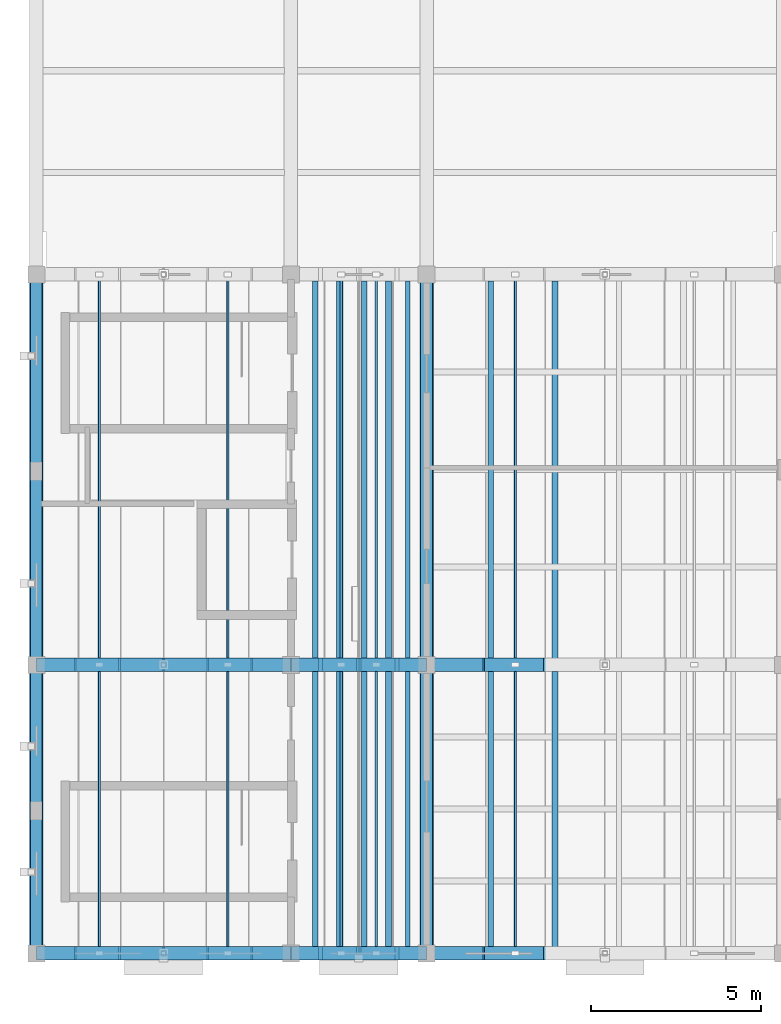
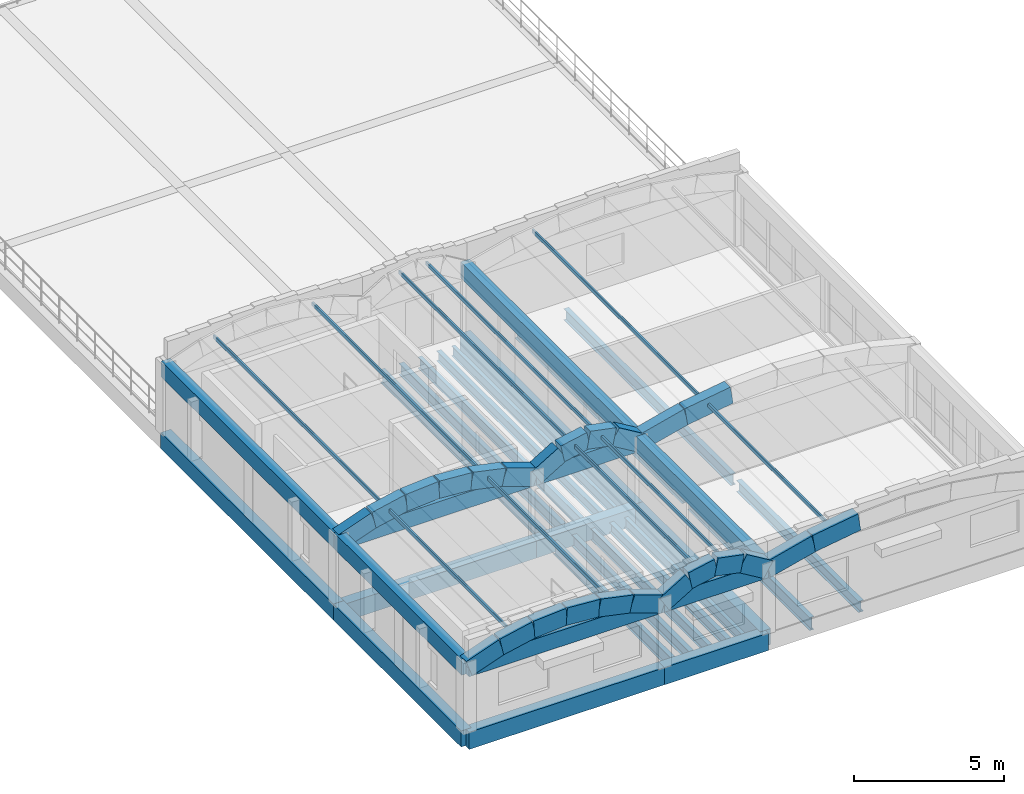
# One storey, part 3 of 40: 34 members, 30 beams.
"""IFC4 building model written with IfcOpenShell, lengths in metres."""

from ifc_helpers import new_model, si_unit, direction, frame, origin, origin_2d, place, context, subcontext, project, spatial, rectangle, hollow_rectangle, i_section, extrude, material, material_profile, profile_set, type_object, element, save


model = new_model("IFC4")

# Units and contexts
model_context = context("Model", 3, precision=1e-05, world=origin(), true_north=direction((0.0, 1.0)))
body_context = subcontext(model_context, "Body", "Model", "MODEL_VIEW")
ifc_project = project(units=[si_unit("LENGTHUNIT", "METRE"), si_unit("AREAUNIT", "SQUARE_METRE"), si_unit("VOLUMEUNIT", "CUBIC_METRE"), si_unit("PLANEANGLEUNIT", "RADIAN"), si_unit("MASSUNIT", "GRAM", prefix="KILO")], contexts=[model_context])

# Site, building, storey
site_placement = place(None, origin())
site = spatial("IfcSite", under=ifc_project, at=site_placement, CompositionType="ELEMENT")
building_placement = place(site_placement, origin())
building = spatial("IfcBuilding", under=site, at=building_placement, Name="Trellovar Central Fire Station", CompositionType="ELEMENT")
storey_placement = place(building_placement, frame((0.0, 0.0, 12.75)))
storey = spatial("IfcBuildingStorey", under=building, at=storey_placement, Name="L04", CompositionType="ELEMENT", Elevation=12.75)

# Beams
ifc_material_1 = material(Name="Concrete C40/50", Category="concrete")
ifc_material_profile_1 = material_profile(ifc_material_1, rectangle(XDim=0.39990234375, YDim=0.699951171875, at=origin_2d()), Name="RC400X700")
ifc_profile_set_1 = profile_set([ifc_material_profile_1], Name="Concrete C40/50")
beam_type_1 = type_object("IfcBeamType", Name="BM-G3", PredefinedType="BEAM", material=ifc_profile_set_1)
beam_1_placement = place(storey_placement, frame((1.0, 9.0, -0.35009765625), z_axis=(1.0, 0.0, 0.0), x_axis=(0.0, 1.0, 0.0)))
element("IfcBeam", 1, at=beam_1_placement, inside=storey, type_object=beam_type_1, Name="L04 beam G-3", PredefinedType="BEAM", context=body_context, shape_type="SweptSolid", body=[
    extrude(rectangle(XDim=0.39990234375, YDim=0.699951171875, at=origin_2d()), origin(), (0.0, 0.0, 1.0), 7.5),
])
beam_2_placement = place(storey_placement, frame((8.5, 9.0, -0.35009765625), z_axis=(1.0, 0.0, 0.0), x_axis=(0.0, 1.0, 0.0)))
element("IfcBeam", 2, at=beam_2_placement, inside=storey, type_object=beam_type_1, Name="L04 beam G-3", PredefinedType="BEAM", context=body_context, shape_type="SweptSolid", body=[
    extrude(rectangle(XDim=0.39990234375, YDim=0.699951171875, at=origin_2d()), origin(), (0.0, 0.0, 1.0), 4.0),
])
beam_3_placement = place(storey_placement, frame((1.0, 17.5, -0.35009765625), z_axis=(1.0, 0.0, 0.0), x_axis=(0.0, 1.0, 0.0)))
element("IfcBeam", 3, at=beam_3_placement, inside=storey, type_object=beam_type_1, Name="L04 beam G-3", PredefinedType="BEAM", context=body_context, shape_type="SweptSolid", body=[
    extrude(rectangle(XDim=0.39990234375, YDim=0.699951171875, at=origin_2d()), origin(), (0.0, 0.0, 1.0), 7.5),
])
beam_4_placement = place(storey_placement, frame((8.5, 17.5, -0.35009765625), z_axis=(1.0, 0.0, 0.0), x_axis=(0.0, 1.0, 0.0)))
element("IfcBeam", 4, at=beam_4_placement, inside=storey, type_object=beam_type_1, Name="L04 beam G-3", PredefinedType="BEAM", context=body_context, shape_type="SweptSolid", body=[
    extrude(rectangle(XDim=0.39990234375, YDim=0.699951171875, at=origin_2d()), origin(), (0.0, 0.0, 1.0), 4.0),
])
ifc_material_2 = material(Name="Concrete C40/50", Category="concrete")
ifc_material_profile_2 = material_profile(ifc_material_2, rectangle(XDim=0.39990234375, YDim=0.64990234375, at=origin_2d()), Name="RC400X650")
ifc_profile_set_2 = profile_set([ifc_material_profile_2], Name="Concrete C40/50")
beam_type_2 = type_object("IfcBeamType", Name="BM-G4", PredefinedType="BEAM", material=ifc_profile_set_2)
beam_5_placement = place(storey_placement, frame((1.0, 9.0, -0.324951171875), z_axis=(0.0, 1.0, 0.0), x_axis=(-1.0, 0.0, 0.0)))
element("IfcBeam", 5, at=beam_5_placement, inside=storey, type_object=beam_type_2, Name="L04 beam G-4", PredefinedType="BEAM", context=body_context, shape_type="SweptSolid", body=[
    extrude(rectangle(XDim=0.39990234375, YDim=0.64990234375, at=origin_2d()), origin(), (0.0, 0.0, 1.0), 8.5),
])
beam_6_placement = place(storey_placement, frame((1.0, 17.5, -0.324951171875), z_axis=(0.0, 1.0, 0.0), x_axis=(-1.0, 0.0, 0.0)))
element("IfcBeam", 6, at=beam_6_placement, inside=storey, type_object=beam_type_2, Name="L04 beam G-4", PredefinedType="BEAM", context=body_context, shape_type="SweptSolid", body=[
    extrude(rectangle(XDim=0.39990234375, YDim=0.64990234375, at=origin_2d()), origin(), (0.0, 0.0, 1.0), 11.5),
])
beam_7_placement = place(storey_placement, frame((12.5, 9.0, -0.324951171875), z_axis=(0.0, 1.0, 0.0), x_axis=(-1.0, 0.0, 0.0)))
element("IfcBeam", 7, at=beam_7_placement, inside=storey, type_object=beam_type_2, Name="L04 beam G-4", PredefinedType="BEAM", context=body_context, shape_type="SweptSolid", body=[
    extrude(rectangle(XDim=0.39990234375, YDim=0.64990234375, at=origin_2d()), origin(), (0.0, 0.0, 1.0), 8.5),
])
beam_8_placement = place(storey_placement, frame((12.5, 17.5, -0.324951171875), z_axis=(0.0, 1.0, 0.0), x_axis=(-1.0, 0.0, 0.0)))
element("IfcBeam", 8, at=beam_8_placement, inside=storey, type_object=beam_type_2, Name="L04 beam G-4", PredefinedType="BEAM", context=body_context, shape_type="SweptSolid", body=[
    extrude(rectangle(XDim=0.39990234375, YDim=0.64990234375, at=origin_2d()), origin(), (0.0, 0.0, 1.0), 11.5),
])
beam_9_placement = place(storey_placement, frame((1.0, 9.0, 2.574951171875), z_axis=(1.0, 0.0, 0.0), x_axis=(0.0, 1.0, 0.0)))
element("IfcBeam", 9, at=beam_9_placement, inside=storey, type_object=beam_type_2, Name="L04 beam G-4", PredefinedType="BEAM", context=body_context, shape_type="SweptSolid", body=[
    extrude(rectangle(XDim=0.39990234375, YDim=0.64990234375, at=origin_2d()), origin(), (0.0, 0.0, 1.0), 7.5),
])
beam_10_placement = place(storey_placement, frame((8.5, 9.0, 2.574951171875), z_axis=(1.0, 0.0, 0.0), x_axis=(0.0, 1.0, 0.0)))
element("IfcBeam", 10, at=beam_10_placement, inside=storey, type_object=beam_type_2, Name="L04 beam G-4", PredefinedType="BEAM", context=body_context, shape_type="SweptSolid", body=[
    extrude(rectangle(XDim=0.39990234375, YDim=0.64990234375, at=origin_2d()), origin(), (0.0, 0.0, 1.0), 4.0),
])
beam_11_placement = place(storey_placement, frame((1.0, 17.5, 2.574951171875), z_axis=(1.0, 0.0, 0.0), x_axis=(0.0, 1.0, 0.0)))
element("IfcBeam", 11, at=beam_11_placement, inside=storey, type_object=beam_type_2, Name="L04 beam G-4", PredefinedType="BEAM", context=body_context, shape_type="SweptSolid", body=[
    extrude(rectangle(XDim=0.39990234375, YDim=0.64990234375, at=origin_2d()), origin(), (0.0, 0.0, 1.0), 7.5),
])
beam_12_placement = place(storey_placement, frame((8.5, 17.5, 2.574951171875), z_axis=(1.0, 0.0, 0.0), x_axis=(0.0, 1.0, 0.0)))
element("IfcBeam", 12, at=beam_12_placement, inside=storey, type_object=beam_type_2, Name="L04 beam G-4", PredefinedType="BEAM", context=body_context, shape_type="SweptSolid", body=[
    extrude(rectangle(XDim=0.39990234375, YDim=0.64990234375, at=origin_2d()), origin(), (0.0, 0.0, 1.0), 4.0),
])
ifc_material_3 = material(Name="Concrete C40/50", Category="concrete")
ifc_material_profile_3 = material_profile(ifc_material_3, rectangle(XDim=0.35009765625, YDim=0.64990234375, at=origin_2d()), Name="RC350X650")
ifc_profile_set_3 = profile_set([ifc_material_profile_3], Name="Concrete C40/50")
beam_type_3 = type_object("IfcBeamType", Name="BM-G5", PredefinedType="BEAM", material=ifc_profile_set_3)
beam_13_placement = place(storey_placement, frame((1.0, 9.0, 2.574951171875), z_axis=(0.0, 1.0, 0.0), x_axis=(-1.0, 0.0, 0.0)))
element("IfcBeam", 13, at=beam_13_placement, inside=storey, type_object=beam_type_3, Name="L04 beam G-5", PredefinedType="BEAM", context=body_context, shape_type="SweptSolid", body=[
    extrude(rectangle(XDim=0.35009765625, YDim=0.64990234375, at=origin_2d()), origin(), (0.0, 0.0, 1.0), 8.5),
])
beam_14_placement = place(storey_placement, frame((1.0, 17.5, 2.574951171875), z_axis=(0.0, 1.0, 0.0), x_axis=(-1.0, 0.0, 0.0)))
element("IfcBeam", 14, at=beam_14_placement, inside=storey, type_object=beam_type_3, Name="L04 beam G-5", PredefinedType="BEAM", context=body_context, shape_type="SweptSolid", body=[
    extrude(rectangle(XDim=0.35009765625, YDim=0.64990234375, at=origin_2d()), origin(), (0.0, 0.0, 1.0), 11.5),
])
beam_15_placement = place(storey_placement, frame((12.5, 9.0, 2.574951171875), z_axis=(0.0, 1.0, 0.0), x_axis=(-1.0, 0.0, 0.0)))
element("IfcBeam", 15, at=beam_15_placement, inside=storey, type_object=beam_type_3, Name="L04 beam G-5", PredefinedType="BEAM", context=body_context, shape_type="SweptSolid", body=[
    extrude(rectangle(XDim=0.35009765625, YDim=0.64990234375, at=origin_2d()), origin(), (0.0, 0.0, 1.0), 8.5),
])
beam_16_placement = place(storey_placement, frame((12.5, 17.5, 2.574951171875), z_axis=(0.0, 1.0, 0.0), x_axis=(-1.0, 0.0, 0.0)))
element("IfcBeam", 16, at=beam_16_placement, inside=storey, type_object=beam_type_3, Name="L04 beam G-5", PredefinedType="BEAM", context=body_context, shape_type="SweptSolid", body=[
    extrude(rectangle(XDim=0.35009765625, YDim=0.64990234375, at=origin_2d()), origin(), (0.0, 0.0, 1.0), 11.5),
])
ifc_material_4 = material(Name="Steel ASTM A992 Grade 50", Category="steel")
ifc_material_profile_4 = material_profile(ifc_material_4, i_section(OverallWidth=0.15283203125, OverallDepth=0.45458984375, WebThickness=0.008056640625, FlangeThickness=0.01318359375, FilletRadius=0.0126953125, at=origin_2d()), Name="W18X40")
ifc_profile_set_4 = profile_set([ifc_material_profile_4], Name="Steel ASTM A992 Grade 50")
beam_type_4 = type_object("IfcBeamType", Name="BM-SW10", PredefinedType="JOIST", material=ifc_profile_set_4)
beam_17_placement = place(storey_placement, frame((10.659912109375, 9.18994140625, -0.46728515625), z_axis=(0.0, 1.0, 0.0), x_axis=(-1.0, 0.0, 0.0)))
element("IfcBeam", 17, at=beam_17_placement, inside=storey, type_object=beam_type_4, Name="L04 secondary steel deck joist", PredefinedType="JOIST", context=body_context, shape_type="SweptSolid", body=[
    extrude(i_section(OverallWidth=0.15283203125, OverallDepth=0.45458984375, WebThickness=0.008056640625, FlangeThickness=0.01318359375, FilletRadius=0.0126953125, at=origin_2d()), origin(), (0.0, 0.0, 1.0), 8.1201171875),
])
beam_18_placement = place(storey_placement, frame((10.659912109375, 17.68994140625, -0.46728515625), z_axis=(0.0, 1.0, 0.0), x_axis=(-1.0, 0.0, 0.0)))
element("IfcBeam", 18, at=beam_18_placement, inside=storey, type_object=beam_type_4, Name="L04 secondary steel deck joist", PredefinedType="JOIST", context=body_context, shape_type="SweptSolid", body=[
    extrude(i_section(OverallWidth=0.15283203125, OverallDepth=0.45458984375, WebThickness=0.008056640625, FlangeThickness=0.01318359375, FilletRadius=0.0126953125, at=origin_2d()), origin(), (0.0, 0.0, 1.0), 11.1201171875),
])
ifc_material_5 = material(Name="Steel ASTM A992 Grade 50", Category="steel")
ifc_material_profile_5 = material_profile(ifc_material_5, i_section(OverallWidth=0.177490234375, OverallDepth=0.40380859375, WebThickness=0.007568359375, FlangeThickness=0.010986328125, FilletRadius=0.011474609375, at=origin_2d()), Name="W16X36")
ifc_profile_set_5 = profile_set([ifc_material_profile_5], Name="Steel ASTM A992 Grade 50")
beam_type_5 = type_object("IfcBeamType", Name="BM-SW11", PredefinedType="JOIST", material=ifc_profile_set_5)
beam_19_placement = place(storey_placement, frame((11.3798828125, 9.18994140625, -0.44189453125), z_axis=(0.0, 1.0, 0.0), x_axis=(-1.0, 0.0, 0.0)))
element("IfcBeam", 19, at=beam_19_placement, inside=storey, type_object=beam_type_5, Name="L04 secondary steel deck joist", PredefinedType="JOIST", context=body_context, shape_type="SweptSolid", body=[
    extrude(i_section(OverallWidth=0.177490234375, OverallDepth=0.40380859375, WebThickness=0.007568359375, FlangeThickness=0.010986328125, FilletRadius=0.011474609375, at=origin_2d()), origin(), (0.0, 0.0, 1.0), 8.1201171875),
])
beam_20_placement = place(storey_placement, frame((11.3798828125, 17.68994140625, -0.44189453125), z_axis=(0.0, 1.0, 0.0), x_axis=(-1.0, 0.0, 0.0)))
element("IfcBeam", 20, at=beam_20_placement, inside=storey, type_object=beam_type_5, Name="L04 secondary steel deck joist", PredefinedType="JOIST", context=body_context, shape_type="SweptSolid", body=[
    extrude(i_section(OverallWidth=0.177490234375, OverallDepth=0.40380859375, WebThickness=0.007568359375, FlangeThickness=0.010986328125, FilletRadius=0.011474609375, at=origin_2d()), origin(), (0.0, 0.0, 1.0), 11.1201171875),
])
ifc_material_6 = material(Name="Steel ASTM A992 Grade 50", Category="steel")
ifc_material_profile_6 = material_profile(ifc_material_6, i_section(OverallWidth=0.140380859375, OverallDepth=0.4033203125, WebThickness=0.007080078125, FlangeThickness=0.01123046875, FilletRadius=0.011474609375, at=origin_2d()), Name="W16X31")
ifc_profile_set_6 = profile_set([ifc_material_profile_6], Name="Steel ASTM A992 Grade 50")
beam_type_6 = type_object("IfcBeamType", Name="BM-SW12", PredefinedType="JOIST", material=ifc_profile_set_6)
beam_21_placement = place(storey_placement, frame((11.93994140625, 9.18994140625, -0.441650390625), z_axis=(0.0, 1.0, 0.0), x_axis=(-1.0, 0.0, 0.0)))
element("IfcBeam", 21, at=beam_21_placement, inside=storey, type_object=beam_type_6, Name="L04 secondary steel deck joist", PredefinedType="JOIST", context=body_context, shape_type="SweptSolid", body=[
    extrude(i_section(OverallWidth=0.140380859375, OverallDepth=0.4033203125, WebThickness=0.007080078125, FlangeThickness=0.01123046875, FilletRadius=0.011474609375, at=origin_2d()), origin(), (0.0, 0.0, 1.0), 8.1201171875),
])
beam_22_placement = place(storey_placement, frame((11.93994140625, 17.68994140625, -0.441650390625), z_axis=(0.0, 1.0, 0.0), x_axis=(-1.0, 0.0, 0.0)))
element("IfcBeam", 22, at=beam_22_placement, inside=storey, type_object=beam_type_6, Name="L04 secondary steel deck joist", PredefinedType="JOIST", context=body_context, shape_type="SweptSolid", body=[
    extrude(i_section(OverallWidth=0.140380859375, OverallDepth=0.4033203125, WebThickness=0.007080078125, FlangeThickness=0.01123046875, FilletRadius=0.011474609375, at=origin_2d()), origin(), (0.0, 0.0, 1.0), 11.1201171875),
])
ifc_material_7 = material(Name="Steel ASTM A992 Grade 50", Category="steel")
ifc_material_profile_7 = material_profile(ifc_material_7, i_section(OverallWidth=0.166015625, OverallDepth=0.529052734375, WebThickness=0.009765625, FlangeThickness=0.013671875, FilletRadius=0.013916015625, at=origin_2d()), Name="W21X50")
ifc_profile_set_7 = profile_set([ifc_material_profile_7], Name="Steel ASTM A992 Grade 50")
beam_type_7 = type_object("IfcBeamType", Name="BM-SW8", PredefinedType="JOIST", material=ifc_profile_set_7)
beam_23_placement = place(storey_placement, frame((9.219970703125, 9.18994140625, -0.504638671875), z_axis=(0.0, 1.0, 0.0), x_axis=(-1.0, 0.0, 0.0)))
element("IfcBeam", 23, at=beam_23_placement, inside=storey, type_object=beam_type_7, Name="L04 secondary steel deck joist", PredefinedType="JOIST", context=body_context, shape_type="SweptSolid", body=[
    extrude(i_section(OverallWidth=0.166015625, OverallDepth=0.529052734375, WebThickness=0.009765625, FlangeThickness=0.013671875, FilletRadius=0.013916015625, at=origin_2d()), origin(), (0.0, 0.0, 1.0), 8.1201171875),
])
beam_24_placement = place(storey_placement, frame((9.219970703125, 17.68994140625, -0.504638671875), z_axis=(0.0, 1.0, 0.0), x_axis=(-1.0, 0.0, 0.0)))
element("IfcBeam", 24, at=beam_24_placement, inside=storey, type_object=beam_type_7, Name="L04 secondary steel deck joist", PredefinedType="JOIST", context=body_context, shape_type="SweptSolid", body=[
    extrude(i_section(OverallWidth=0.166015625, OverallDepth=0.529052734375, WebThickness=0.009765625, FlangeThickness=0.013671875, FilletRadius=0.013916015625, at=origin_2d()), origin(), (0.0, 0.0, 1.0), 11.1201171875),
])
beam_25_placement = place(storey_placement, frame((14.389892578125, 9.18994140625, -0.504638671875), z_axis=(0.0, 1.0, 0.0), x_axis=(-1.0, 0.0, 0.0)))
element("IfcBeam", 25, at=beam_25_placement, inside=storey, type_object=beam_type_7, Name="L04 secondary steel deck joist", PredefinedType="JOIST", context=body_context, shape_type="SweptSolid", body=[
    extrude(i_section(OverallWidth=0.166015625, OverallDepth=0.529052734375, WebThickness=0.009765625, FlangeThickness=0.013671875, FilletRadius=0.013916015625, at=origin_2d()), origin(), (0.0, 0.0, 1.0), 8.1201171875),
])
beam_26_placement = place(storey_placement, frame((14.389892578125, 17.68994140625, -0.504638671875), z_axis=(0.0, 1.0, 0.0), x_axis=(-1.0, 0.0, 0.0)))
element("IfcBeam", 26, at=beam_26_placement, inside=storey, type_object=beam_type_7, Name="L04 secondary steel deck joist", PredefinedType="JOIST", context=body_context, shape_type="SweptSolid", body=[
    extrude(i_section(OverallWidth=0.166015625, OverallDepth=0.529052734375, WebThickness=0.009765625, FlangeThickness=0.013671875, FilletRadius=0.013916015625, at=origin_2d()), origin(), (0.0, 0.0, 1.0), 11.1201171875),
])
ifc_material_8 = material(Name="Steel ASTM A992 Grade 50", Category="steel")
ifc_material_profile_8 = material_profile(ifc_material_8, i_section(OverallWidth=0.1904296875, OverallDepth=0.457275390625, WebThickness=0.009033203125, FlangeThickness=0.014404296875, FilletRadius=0.0126953125, at=origin_2d()), Name="W18X50")
ifc_profile_set_8 = profile_set([ifc_material_profile_8], Name="Steel ASTM A992 Grade 50")
beam_type_8 = type_object("IfcBeamType", Name="BM-SW9", PredefinedType="JOIST", material=ifc_profile_set_8)
beam_27_placement = place(storey_placement, frame((9.93994140625, 9.18994140625, -0.468505859375), z_axis=(0.0, 1.0, 0.0), x_axis=(-1.0, 0.0, 0.0)))
element("IfcBeam", 27, at=beam_27_placement, inside=storey, type_object=beam_type_8, Name="L04 secondary steel deck joist", PredefinedType="JOIST", context=body_context, shape_type="SweptSolid", body=[
    extrude(i_section(OverallWidth=0.1904296875, OverallDepth=0.457275390625, WebThickness=0.009033203125, FlangeThickness=0.014404296875, FilletRadius=0.0126953125, at=origin_2d()), origin(), (0.0, 0.0, 1.0), 8.1201171875),
])
beam_28_placement = place(storey_placement, frame((9.93994140625, 17.68994140625, -0.468505859375), z_axis=(0.0, 1.0, 0.0), x_axis=(-1.0, 0.0, 0.0)))
element("IfcBeam", 28, at=beam_28_placement, inside=storey, type_object=beam_type_8, Name="L04 secondary steel deck joist", PredefinedType="JOIST", context=body_context, shape_type="SweptSolid", body=[
    extrude(i_section(OverallWidth=0.1904296875, OverallDepth=0.457275390625, WebThickness=0.009033203125, FlangeThickness=0.014404296875, FilletRadius=0.0126953125, at=origin_2d()), origin(), (0.0, 0.0, 1.0), 11.1201171875),
])
beam_29_placement = place(storey_placement, frame((16.280029296875, 9.18994140625, -0.468505859375), z_axis=(0.0, 1.0, 0.0), x_axis=(-1.0, 0.0, 0.0)))
element("IfcBeam", 29, at=beam_29_placement, inside=storey, type_object=beam_type_8, Name="L04 secondary steel deck joist", PredefinedType="JOIST", context=body_context, shape_type="SweptSolid", body=[
    extrude(i_section(OverallWidth=0.1904296875, OverallDepth=0.457275390625, WebThickness=0.009033203125, FlangeThickness=0.014404296875, FilletRadius=0.0126953125, at=origin_2d()), origin(), (0.0, 0.0, 1.0), 8.1201171875),
])
beam_30_placement = place(storey_placement, frame((16.280029296875, 17.68994140625, -0.468505859375), z_axis=(0.0, 1.0, 0.0), x_axis=(-1.0, 0.0, 0.0)))
element("IfcBeam", 30, at=beam_30_placement, inside=storey, type_object=beam_type_8, Name="L04 secondary steel deck joist", PredefinedType="JOIST", context=body_context, shape_type="SweptSolid", body=[
    extrude(i_section(OverallWidth=0.1904296875, OverallDepth=0.457275390625, WebThickness=0.009033203125, FlangeThickness=0.014404296875, FilletRadius=0.0126953125, at=origin_2d()), origin(), (0.0, 0.0, 1.0), 11.1201171875),
])

# Members
ifc_material_9 = material(Name="Concrete C40/50", Category="concrete")
ifc_material_profile_9 = material_profile(ifc_material_9, rectangle(XDim=0.39990234375, YDim=0.699951171875, at=origin_2d()), Name="RC400X700")
ifc_profile_set_9 = profile_set([ifc_material_profile_9], Name="Concrete C40/50")
member_type_1 = type_object("IfcMemberType", Name="MEM-LR1", PredefinedType="CHORD", material=ifc_profile_set_9)
member_1_placement = place(storey_placement, frame((1.0, 9.0, 2.580078125), z_axis=(0.942240505119, 0.0, 0.334937054554), x_axis=(0.0, 1.0, 0.0)))
element("IfcMember", 31, at=member_1_placement, inside=storey, type_object=member_type_1, Name="V4 Catalan vault rib 1 chord 1", PredefinedType="CHORD", context=body_context, shape_type="SweptSolid", body=[
    extrude(rectangle(XDim=0.39990234375, YDim=0.699951171875, at=origin_2d()), origin(), (0.0, 0.0, 1.0), 1.32666015625),
])
member_2_placement = place(storey_placement, frame((2.25, 9.0, 3.0244140625), z_axis=(0.978003228886, 0.0, 0.208589751161), x_axis=(0.0, 1.0, 0.0)))
element("IfcMember", 32, at=member_2_placement, inside=storey, type_object=member_type_1, Name="V4 Catalan vault rib 1 chord 2", PredefinedType="CHORD", context=body_context, shape_type="SweptSolid", body=[
    extrude(rectangle(XDim=0.39990234375, YDim=0.699951171875, at=origin_2d()), origin(), (0.0, 0.0, 1.0), 1.278076171875),
])
for number, where, z_axis, x_axis, name in (
    (33, (3.5, 9.0, 3.291015625), (0.997482378995, 0.0, 0.070914762882), (0.0, 1.0, 0.0), "V4 Catalan vault rib 1 chord 3"),
    (34, (4.75, 9.0, 3.3798828125), (0.997482378995, 0.0, -0.070914762882), (0.0, 1.0, 0.0), "V4 Catalan vault rib 1 chord 4"),
):
    element("IfcMember", number, at=place(storey_placement, frame(where, z_axis=z_axis, x_axis=x_axis)), inside=storey, type_object=member_type_1, Name=name, PredefinedType="CHORD", context=body_context, shape_type="SweptSolid", body=[
        extrude(rectangle(XDim=0.39990234375, YDim=0.699951171875, at=origin_2d()), origin(), (0.0, 0.0, 1.0), 1.253173828125),
    ])
member_3_placement = place(storey_placement, frame((6.0, 9.0, 3.291015625), z_axis=(0.978003228886, 0.0, -0.208589751161), x_axis=(0.0, 1.0, 0.0)))
element("IfcMember", 35, at=member_3_placement, inside=storey, type_object=member_type_1, Name="V4 Catalan vault rib 1 chord 5", PredefinedType="CHORD", context=body_context, shape_type="SweptSolid", body=[
    extrude(rectangle(XDim=0.39990234375, YDim=0.699951171875, at=origin_2d()), origin(), (0.0, 0.0, 1.0), 1.278076171875),
])
for number, where, z_axis, x_axis, name in (
    (36, (7.25, 9.0, 3.0244140625), (0.942240505119, 0.0, -0.334937054554), (0.0, 1.0, 0.0), "V4 Catalan vault rib 1 chord 6"),
    (37, (1.0, 17.5, 2.580078125), (0.942240505119, 0.0, 0.334937054554), (0.0, 1.0, 0.0), "V4 Catalan vault rib 1 chord 1"),
):
    element("IfcMember", number, at=place(storey_placement, frame(where, z_axis=z_axis, x_axis=x_axis)), inside=storey, type_object=member_type_1, Name=name, PredefinedType="CHORD", context=body_context, shape_type="SweptSolid", body=[
        extrude(rectangle(XDim=0.39990234375, YDim=0.699951171875, at=origin_2d()), origin(), (0.0, 0.0, 1.0), 1.32666015625),
    ])
member_4_placement = place(storey_placement, frame((2.25, 17.5, 3.0244140625), z_axis=(0.978003228886, 0.0, 0.208589751161), x_axis=(0.0, 1.0, 0.0)))
element("IfcMember", 38, at=member_4_placement, inside=storey, type_object=member_type_1, Name="V4 Catalan vault rib 1 chord 2", PredefinedType="CHORD", context=body_context, shape_type="SweptSolid", body=[
    extrude(rectangle(XDim=0.39990234375, YDim=0.699951171875, at=origin_2d()), origin(), (0.0, 0.0, 1.0), 1.278076171875),
])
for number, where, z_axis, x_axis, name in (
    (39, (3.5, 17.5, 3.291015625), (0.997482378995, 0.0, 0.070914762882), (0.0, 1.0, 0.0), "V4 Catalan vault rib 1 chord 3"),
    (40, (4.75, 17.5, 3.3798828125), (0.997482378995, 0.0, -0.070914762882), (0.0, 1.0, 0.0), "V4 Catalan vault rib 1 chord 4"),
):
    element("IfcMember", number, at=place(storey_placement, frame(where, z_axis=z_axis, x_axis=x_axis)), inside=storey, type_object=member_type_1, Name=name, PredefinedType="CHORD", context=body_context, shape_type="SweptSolid", body=[
        extrude(rectangle(XDim=0.39990234375, YDim=0.699951171875, at=origin_2d()), origin(), (0.0, 0.0, 1.0), 1.253173828125),
    ])
member_5_placement = place(storey_placement, frame((6.0, 17.5, 3.291015625), z_axis=(0.978003228886, 0.0, -0.208589751161), x_axis=(0.0, 1.0, 0.0)))
element("IfcMember", 41, at=member_5_placement, inside=storey, type_object=member_type_1, Name="V4 Catalan vault rib 1 chord 5", PredefinedType="CHORD", context=body_context, shape_type="SweptSolid", body=[
    extrude(rectangle(XDim=0.39990234375, YDim=0.699951171875, at=origin_2d()), origin(), (0.0, 0.0, 1.0), 1.278076171875),
])
member_6_placement = place(storey_placement, frame((7.25, 17.5, 3.0244140625), z_axis=(0.942240505119, 0.0, -0.334937054554), x_axis=(0.0, 1.0, 0.0)))
element("IfcMember", 42, at=member_6_placement, inside=storey, type_object=member_type_1, Name="V4 Catalan vault rib 1 chord 6", PredefinedType="CHORD", context=body_context, shape_type="SweptSolid", body=[
    extrude(rectangle(XDim=0.39990234375, YDim=0.699951171875, at=origin_2d()), origin(), (0.0, 0.0, 1.0), 1.32666015625),
])
member_7_placement = place(storey_placement, frame((8.5, 9.0, 2.580078125), z_axis=(0.857548340193, 0.0, 0.514403386683), x_axis=(0.0, 1.0, 0.0)))
element("IfcMember", 43, at=member_7_placement, inside=storey, type_object=member_type_1, Name="V4 Catalan vault rib 2 chord 1", PredefinedType="CHORD", context=body_context, shape_type="SweptSolid", body=[
    extrude(rectangle(XDim=0.39990234375, YDim=0.699951171875, at=origin_2d()), origin(), (0.0, 0.0, 1.0), 1.166015625),
])
for number, where, z_axis, x_axis, name in (
    (44, (9.5, 9.0, 3.179931640625), (0.980589882373, 0.0, 0.196070096109), (0.0, 1.0, 0.0), "V4 Catalan vault rib 2 chord 2"),
    (45, (10.5, 9.0, 3.3798828125), (0.980589882373, 0.0, -0.196070096109), (0.0, 1.0, 0.0), "V4 Catalan vault rib 2 chord 3"),
):
    element("IfcMember", number, at=place(storey_placement, frame(where, z_axis=z_axis, x_axis=x_axis)), inside=storey, type_object=member_type_1, Name=name, PredefinedType="CHORD", context=body_context, shape_type="SweptSolid", body=[
        extrude(rectangle(XDim=0.39990234375, YDim=0.699951171875, at=origin_2d()), origin(), (0.0, 0.0, 1.0), 1.019775390625),
    ])
for number, where, z_axis, x_axis, name in (
    (46, (11.5, 9.0, 3.179931640625), (0.857548340193, 0.0, -0.514403386683), (0.0, 1.0, 0.0), "V4 Catalan vault rib 2 chord 4"),
    (47, (8.5, 17.5, 2.580078125), (0.857548340193, 0.0, 0.514403386683), (0.0, 1.0, 0.0), "V4 Catalan vault rib 2 chord 1"),
):
    element("IfcMember", number, at=place(storey_placement, frame(where, z_axis=z_axis, x_axis=x_axis)), inside=storey, type_object=member_type_1, Name=name, PredefinedType="CHORD", context=body_context, shape_type="SweptSolid", body=[
        extrude(rectangle(XDim=0.39990234375, YDim=0.699951171875, at=origin_2d()), origin(), (0.0, 0.0, 1.0), 1.166015625),
    ])
for number, where, z_axis, x_axis, name in (
    (48, (9.5, 17.5, 3.179931640625), (0.980589882373, 0.0, 0.196070096109), (0.0, 1.0, 0.0), "V4 Catalan vault rib 2 chord 2"),
    (49, (10.5, 17.5, 3.3798828125), (0.980589882373, 0.0, -0.196070096109), (0.0, 1.0, 0.0), "V4 Catalan vault rib 2 chord 3"),
):
    element("IfcMember", number, at=place(storey_placement, frame(where, z_axis=z_axis, x_axis=x_axis)), inside=storey, type_object=member_type_1, Name=name, PredefinedType="CHORD", context=body_context, shape_type="SweptSolid", body=[
        extrude(rectangle(XDim=0.39990234375, YDim=0.699951171875, at=origin_2d()), origin(), (0.0, 0.0, 1.0), 1.019775390625),
    ])
member_8_placement = place(storey_placement, frame((11.5, 17.5, 3.179931640625), z_axis=(0.857548340193, 0.0, -0.514403386683), x_axis=(0.0, 1.0, 0.0)))
element("IfcMember", 50, at=member_8_placement, inside=storey, type_object=member_type_1, Name="V4 Catalan vault rib 2 chord 4", PredefinedType="CHORD", context=body_context, shape_type="SweptSolid", body=[
    extrude(rectangle(XDim=0.39990234375, YDim=0.699951171875, at=origin_2d()), origin(), (0.0, 0.0, 1.0), 1.166015625),
])
member_9_placement = place(storey_placement, frame((12.5, 9.0, 2.580078125), z_axis=(0.969245105532, 0.0, 0.246097390076), x_axis=(0.0, 1.0, 0.0)))
element("IfcMember", 51, at=member_9_placement, inside=storey, type_object=member_type_1, Name="V4 Catalan vault rib 3 chord 1", PredefinedType="CHORD", context=body_context, shape_type="SweptSolid", body=[
    extrude(rectangle(XDim=0.39990234375, YDim=0.699951171875, at=origin_2d()), origin(), (0.0, 0.0, 1.0), 1.805419921875),
])
member_10_placement = place(storey_placement, frame((14.25, 9.0, 3.0244140625), z_axis=(0.988593852022, 0.0, 0.150606094644), x_axis=(0.0, 1.0, 0.0)))
element("IfcMember", 52, at=member_10_placement, inside=storey, type_object=member_type_1, Name="V4 Catalan vault rib 3 chord 2", PredefinedType="CHORD", context=body_context, shape_type="SweptSolid", body=[
    extrude(rectangle(XDim=0.39990234375, YDim=0.699951171875, at=origin_2d()), origin(), (0.0, 0.0, 1.0), 1.770263671875),
])
member_11_placement = place(storey_placement, frame((12.5, 17.5, 2.580078125), z_axis=(0.969245105532, 0.0, 0.246097390076), x_axis=(0.0, 1.0, 0.0)))
element("IfcMember", 53, at=member_11_placement, inside=storey, type_object=member_type_1, Name="V4 Catalan vault rib 3 chord 1", PredefinedType="CHORD", context=body_context, shape_type="SweptSolid", body=[
    extrude(rectangle(XDim=0.39990234375, YDim=0.699951171875, at=origin_2d()), origin(), (0.0, 0.0, 1.0), 1.805419921875),
])
member_12_placement = place(storey_placement, frame((14.25, 17.5, 3.0244140625), z_axis=(0.988593852022, 0.0, 0.150606094644), x_axis=(0.0, 1.0, 0.0)))
element("IfcMember", 54, at=member_12_placement, inside=storey, type_object=member_type_1, Name="V4 Catalan vault rib 3 chord 2", PredefinedType="CHORD", context=body_context, shape_type="SweptSolid", body=[
    extrude(rectangle(XDim=0.39990234375, YDim=0.699951171875, at=origin_2d()), origin(), (0.0, 0.0, 1.0), 1.770263671875),
])
ifc_material_10 = material(Name="Steel ASTM A500 Grade C", Category="steel")
ifc_material_profile_10 = material_profile(ifc_material_10, hollow_rectangle(XDim=0.076171875, YDim=0.15234375, WallThickness=0.005859375, InnerFilletRadius=0.005859375, OuterFilletRadius=0.01171875, at=origin_2d()), Name="HSS6X3X1/4")
ifc_profile_set_10 = profile_set([ifc_material_profile_10], Name="Steel ASTM A500 Grade C")
member_type_2 = type_object("IfcMemberType", Name="MEM-PU2", PredefinedType="PURLIN", material=ifc_profile_set_10)
member_13_placement = place(storey_placement, frame((2.857177734375, 9.0, 3.194091796875), z_axis=(0.0, 1.0, 0.0), x_axis=(-1.0, 0.0, 0.0)))
element("IfcMember", 55, at=member_13_placement, inside=storey, type_object=member_type_2, Name="V4 vault purlin 1-2", PredefinedType="PURLIN", context=body_context, shape_type="SweptSolid", body=[
    extrude(hollow_rectangle(XDim=0.076171875, YDim=0.15234375, WallThickness=0.005859375, InnerFilletRadius=0.005859375, OuterFilletRadius=0.01171875, at=origin_2d()), origin(), (0.0, 0.0, 1.0), 8.5),
])
member_14_placement = place(storey_placement, frame((2.857177734375, 17.5, 3.194091796875), z_axis=(0.0, 1.0, 0.0), x_axis=(-1.0, 0.0, 0.0)))
element("IfcMember", 56, at=member_14_placement, inside=storey, type_object=member_type_2, Name="V4 vault purlin 1-2", PredefinedType="PURLIN", context=body_context, shape_type="SweptSolid", body=[
    extrude(hollow_rectangle(XDim=0.076171875, YDim=0.15234375, WallThickness=0.005859375, InnerFilletRadius=0.005859375, OuterFilletRadius=0.01171875, at=origin_2d()), origin(), (0.0, 0.0, 1.0), 11.5),
])
member_15_placement = place(storey_placement, frame((6.642578125, 9.0, 3.194091796875), z_axis=(0.0, 1.0, 0.0), x_axis=(-1.0, 0.0, 0.0)))
element("IfcMember", 57, at=member_15_placement, inside=storey, type_object=member_type_2, Name="V4 vault purlin 1-5", PredefinedType="PURLIN", context=body_context, shape_type="SweptSolid", body=[
    extrude(hollow_rectangle(XDim=0.076171875, YDim=0.15234375, WallThickness=0.005859375, InnerFilletRadius=0.005859375, OuterFilletRadius=0.01171875, at=origin_2d()), origin(), (0.0, 0.0, 1.0), 8.5),
])
member_16_placement = place(storey_placement, frame((6.642578125, 17.5, 3.194091796875), z_axis=(0.0, 1.0, 0.0), x_axis=(-1.0, 0.0, 0.0)))
element("IfcMember", 58, at=member_16_placement, inside=storey, type_object=member_type_2, Name="V4 vault purlin 1-5", PredefinedType="PURLIN", context=body_context, shape_type="SweptSolid", body=[
    extrude(hollow_rectangle(XDim=0.076171875, YDim=0.15234375, WallThickness=0.005859375, InnerFilletRadius=0.005859375, OuterFilletRadius=0.01171875, at=origin_2d()), origin(), (0.0, 0.0, 1.0), 11.5),
])
member_17_placement = place(storey_placement, frame((9.9833984375, 9.0, 3.316650390625), z_axis=(0.0, 1.0, 0.0), x_axis=(-1.0, 0.0, 0.0)))
element("IfcMember", 59, at=member_17_placement, inside=storey, type_object=member_type_2, Name="V4 vault purlin 2-2", PredefinedType="PURLIN", context=body_context, shape_type="SweptSolid", body=[
    extrude(hollow_rectangle(XDim=0.076171875, YDim=0.15234375, WallThickness=0.005859375, InnerFilletRadius=0.005859375, OuterFilletRadius=0.01171875, at=origin_2d()), origin(), (0.0, 0.0, 1.0), 8.5),
])
member_18_placement = place(storey_placement, frame((9.9833984375, 17.5, 3.316650390625), z_axis=(0.0, 1.0, 0.0), x_axis=(-1.0, 0.0, 0.0)))
element("IfcMember", 60, at=member_18_placement, inside=storey, type_object=member_type_2, Name="V4 vault purlin 2-2", PredefinedType="PURLIN", context=body_context, shape_type="SweptSolid", body=[
    extrude(hollow_rectangle(XDim=0.076171875, YDim=0.15234375, WallThickness=0.005859375, InnerFilletRadius=0.005859375, OuterFilletRadius=0.01171875, at=origin_2d()), origin(), (0.0, 0.0, 1.0), 11.5),
])
member_19_placement = place(storey_placement, frame((11.0166015625, 9.0, 3.316650390625), z_axis=(0.0, 1.0, 0.0), x_axis=(-1.0, 0.0, 0.0)))
element("IfcMember", 61, at=member_19_placement, inside=storey, type_object=member_type_2, Name="V4 vault purlin 2-3", PredefinedType="PURLIN", context=body_context, shape_type="SweptSolid", body=[
    extrude(hollow_rectangle(XDim=0.076171875, YDim=0.15234375, WallThickness=0.005859375, InnerFilletRadius=0.005859375, OuterFilletRadius=0.01171875, at=origin_2d()), origin(), (0.0, 0.0, 1.0), 8.5),
])
member_20_placement = place(storey_placement, frame((11.0166015625, 17.5, 3.316650390625), z_axis=(0.0, 1.0, 0.0), x_axis=(-1.0, 0.0, 0.0)))
element("IfcMember", 62, at=member_20_placement, inside=storey, type_object=member_type_2, Name="V4 vault purlin 2-3", PredefinedType="PURLIN", context=body_context, shape_type="SweptSolid", body=[
    extrude(hollow_rectangle(XDim=0.076171875, YDim=0.15234375, WallThickness=0.005859375, InnerFilletRadius=0.005859375, OuterFilletRadius=0.01171875, at=origin_2d()), origin(), (0.0, 0.0, 1.0), 11.5),
])
member_21_placement = place(storey_placement, frame((15.1123046875, 9.0, 3.19580078125), z_axis=(0.0, 1.0, 0.0), x_axis=(-1.0, 0.0, 0.0)))
element("IfcMember", 63, at=member_21_placement, inside=storey, type_object=member_type_2, Name="V4 vault purlin 3-2", PredefinedType="PURLIN", context=body_context, shape_type="SweptSolid", body=[
    extrude(hollow_rectangle(XDim=0.076171875, YDim=0.15234375, WallThickness=0.005859375, InnerFilletRadius=0.005859375, OuterFilletRadius=0.01171875, at=origin_2d()), origin(), (0.0, 0.0, 1.0), 8.5),
])
member_22_placement = place(storey_placement, frame((15.1123046875, 17.5, 3.19580078125), z_axis=(0.0, 1.0, 0.0), x_axis=(-1.0, 0.0, 0.0)))
element("IfcMember", 64, at=member_22_placement, inside=storey, type_object=member_type_2, Name="V4 vault purlin 3-2", PredefinedType="PURLIN", context=body_context, shape_type="SweptSolid", body=[
    extrude(hollow_rectangle(XDim=0.076171875, YDim=0.15234375, WallThickness=0.005859375, InnerFilletRadius=0.005859375, OuterFilletRadius=0.01171875, at=origin_2d()), origin(), (0.0, 0.0, 1.0), 11.5),
])

save(model, "model.ifc")
